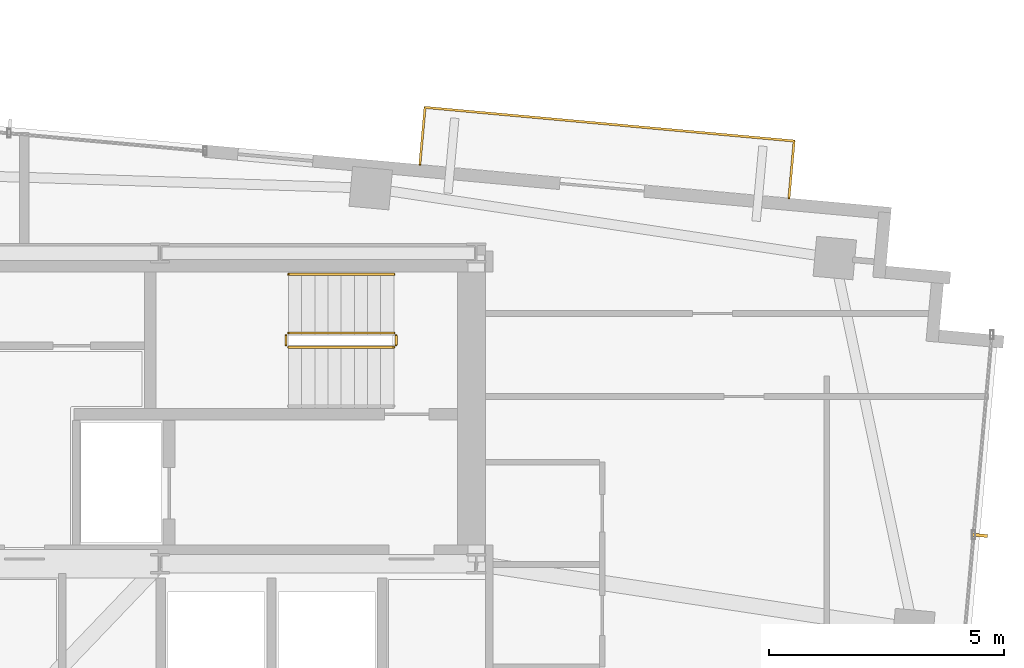
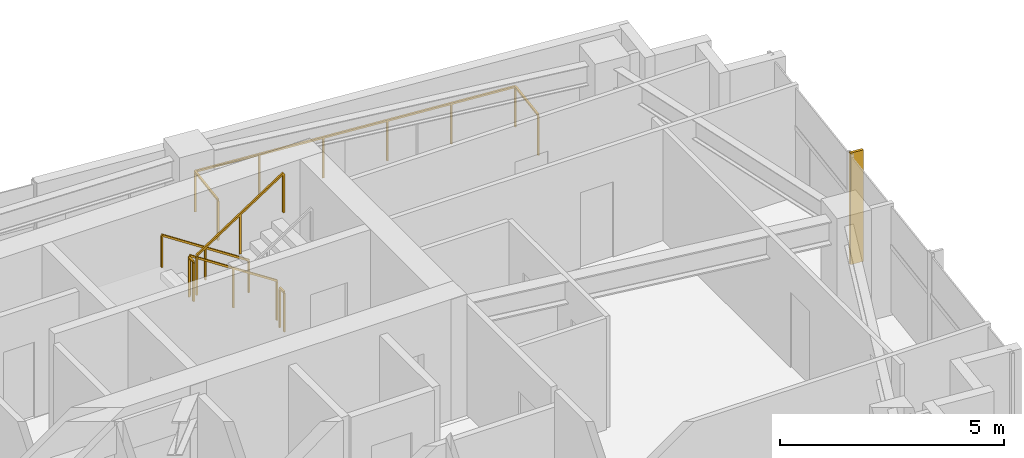
# One storey, part 22 of 22: 6 railings, 1 shading device.
"""IFC4 building model written with IfcOpenShell, lengths in metres."""

import ifcopenshell
import ifcopenshell.guid

model = None  # the IFC model being written
_history = None  # IfcOwnerHistory: only IFC2X3 demands one
_inside = {}  # id of a spatial element -> (the spatial element, [elements in it])
_under = {}  # id of a project, library or spatial element -> (it, [spatial elements below it])
_declared = {}  # id of a project -> (the project, [libraries it declares])
_typed = {}  # id of a type object -> (the type object, [elements of that type])
_made_of = {}  # id of a material, layer set ... -> (it, [elements and type objects made of it])


def new_model(schema):
    """Start an empty IFC model of exactly this schema.

    Asked for "IFC4X3", IfcOpenShell would pick the latest addendum, in which some entities
    have other attributes; the version numbers below select the first issue.
    IFC2X3 requires an IfcOwnerHistory on every rooted entity: one is made here for all.
    """
    global model, _history
    if schema == "IFC4X3":
        model = ifcopenshell.file(schema_version=(4, 3, 0, 0))
    else:
        model = ifcopenshell.file(schema=schema)
    _inside.clear()
    _under.clear()
    _declared.clear()
    _typed.clear()
    _made_of.clear()
    _history = None
    if model.schema == "IFC2X3":
        org = make("IfcOrganization", Name="unknown")
        user = make(
            "IfcPersonAndOrganization",
            ThePerson=make("IfcPerson", FamilyName="unknown"),
            TheOrganization=org,
        )
        app = make(
            "IfcApplication",
            ApplicationDeveloper=org,
            Version="unknown",
            ApplicationFullName="unknown",
            ApplicationIdentifier="unknown",
        )
        _history = make(
            "IfcOwnerHistory",
            OwningUser=user,
            OwningApplication=app,
            ChangeAction="ADDED",
            CreationDate=0,
        )
    return model


def make(cls, **values):
    """One entity of the class cls with the attributes given. An attribute that is None is left unset."""
    return model.create_entity(
        cls, **{name: value for name, value in values.items() if value is not None}
    )


def rooted(cls, **values):
    """An entity with a GlobalId (a new one), such as an element, a storey or a relation."""
    return make(cls, GlobalId=ifcopenshell.guid.new(), OwnerHistory=_history, **values)


def si_unit(unit_type, name, prefix=None):
    """IfcSIUnit, for example si_unit("LENGTHUNIT", "METRE", prefix="MILLI")."""
    return make("IfcSIUnit", UnitType=unit_type, Prefix=prefix, Name=name)


def assignment(units):
    """IfcUnitAssignment: the units of a project."""
    return None if units is None else make("IfcUnitAssignment", Units=units)


def point(xyz):
    """IfcCartesianPoint."""
    return None if xyz is None else make("IfcCartesianPoint", Coordinates=xyz)


def direction(xyz):
    """IfcDirection."""
    return None if xyz is None else make("IfcDirection", DirectionRatios=xyz)


def frame(location, z_axis=None, x_axis=None):
    """IfcAxis2Placement3D, a coordinate frame: its origin and axes. An axis left out is left unset."""
    return make(
        "IfcAxis2Placement3D",
        Location=point(location),
        Axis=direction(z_axis),
        RefDirection=direction(x_axis),
    )


def frame_2d(location, x_axis=None):
    """IfcAxis2Placement2D, a coordinate frame in the plane: its origin and x axis."""
    return make(
        "IfcAxis2Placement2D", Location=point(location), RefDirection=direction(x_axis)
    )


def origin():
    """The frame at (0, 0, 0) with its axes left unset."""
    return frame((0.0, 0.0, 0.0))


def origin_2d():
    """The frame at (0, 0) in the plane with its x axis left unset."""
    return frame_2d((0.0, 0.0))


def place(relative_to, where):
    """IfcLocalPlacement: puts the frame where relative to a parent placement (None: the world)."""
    return make(
        "IfcLocalPlacement", PlacementRelTo=relative_to, RelativePlacement=where
    )


def context(
    kind, dimensions, precision=None, world=None, true_north=None, identifier=None
):
    """IfcGeometricRepresentationContext, for example the 3D "Model" context."""
    return make(
        "IfcGeometricRepresentationContext",
        ContextIdentifier=identifier,
        ContextType=kind,
        CoordinateSpaceDimension=dimensions,
        Precision=precision,
        WorldCoordinateSystem=world,
        TrueNorth=true_north,
    )


def subcontext(parent, identifier, kind, view, scale=None):
    """IfcGeometricRepresentationSubContext, for example "Body" below "Model"."""
    return make(
        "IfcGeometricRepresentationSubContext",
        ContextIdentifier=identifier,
        ContextType=kind,
        ParentContext=parent,
        TargetScale=scale,
        TargetView=view,
    )


def project(units=None, contexts=None):
    """IfcProject with its units and contexts."""
    return rooted(
        "IfcProject",
        Name="project",
        RepresentationContexts=contexts,
        UnitsInContext=assignment(units),
    )


def spatial(cls, under=None, at=None, **own):
    """A site, building, storey or space (cls), placed at a placement, below another one or the project."""
    s = rooted(cls, ObjectPlacement=at, **own)
    if under is not None:
        _under.setdefault(under.id(), (under, []))[1].append(s)
    return s


def profile(cls, at=None, kind="AREA", **sizes):
    """A parametric profile (cls). Its sizes go by their IFC names, for example OverallWidth=200.0."""
    return make(cls, ProfileType=kind, Position=at, **sizes)


def rectangle(**sizes):
    """IfcRectangleProfileDef."""
    return profile("IfcRectangleProfileDef", **sizes)


def extrude(swept, where, along, depth):
    """IfcExtrudedAreaSolid: the profile swept, set in the frame where, extruded along a direction by depth."""
    return make(
        "IfcExtrudedAreaSolid",
        SweptArea=swept,
        Position=where,
        ExtrudedDirection=direction(along),
        Depth=depth,
    )


def shape(context_of_items, identifier, shape_type, items):
    """IfcShapeRepresentation: the items that make up one representation, for example the "Body"."""
    return make(
        "IfcShapeRepresentation",
        ContextOfItems=context_of_items,
        RepresentationIdentifier=identifier,
        RepresentationType=shape_type,
        Items=items,
    )


def source(mapping_origin, context_of_items, identifier, shape_type, items):
    """IfcRepresentationMap: a shape defined once, which mapped items show again and again."""
    return make(
        "IfcRepresentationMap",
        MappingOrigin=mapping_origin,
        MappedRepresentation=shape(context_of_items, identifier, shape_type, items),
    )


def transform(
    local_origin,
    x_axis=None,
    y_axis=None,
    z_axis=None,
    scale=None,
    scale2=None,
    scale3=None,
    uniform=True,
):
    """IfcCartesianTransformationOperator3D, or its non-uniform kind. x_axis, y_axis, z_axis: its Axis1, 2, 3."""
    if uniform:
        return make(
            "IfcCartesianTransformationOperator3D",
            Axis1=direction(x_axis),
            Axis2=direction(y_axis),
            LocalOrigin=point(local_origin),
            Scale=scale,
            Axis3=direction(z_axis),
        )
    return make(
        "IfcCartesianTransformationOperator3DnonUniform",
        Axis1=direction(x_axis),
        Axis2=direction(y_axis),
        LocalOrigin=point(local_origin),
        Scale=scale,
        Axis3=direction(z_axis),
        Scale2=scale2,
        Scale3=scale3,
    )


def mapped(mapping_source, mapping_target):
    """IfcMappedItem: shows the shape of a source again, moved by a transform."""
    return make(
        "IfcMappedItem", MappingSource=mapping_source, MappingTarget=mapping_target
    )


def material(Name=None, Category=None):
    """IfcMaterial."""
    return make("IfcMaterial", Name=Name, Category=Category)


def made_of(thing, what):
    """Note that an element or type object is made of a material, layer set ...; save() writes the relation."""
    if what is not None:
        _made_of.setdefault(what.id(), (what, []))[1].append(thing)
    return thing


def type_object(cls, material=None, **own):
    """A type object (cls), such as IfcWallType, which elements share."""
    return made_of(rooted(cls, **own), material)


def type_shapes(of_type, sources):
    """Give a type object the sources (RepresentationMaps) that its elements show as mapped items."""
    of_type.RepresentationMaps = sources


def element(
    cls,
    number,
    at=None,
    inside=None,
    cuts=None,
    type_object=None,
    material=None,
    context=None,
    identifier="Body",
    shape_type=None,
    held_by="IfcProductDefinitionShape",
    body=None,
    shapes=None,
    **own,
):
    """One element of the class cls, such as IfcWall. Its Tag is "e" and its number.

    at: its placement. inside: the storey or other place that contains it. cuts: it is an
    opening in that element (IfcRelVoidsElement). A single representation is given by context,
    identifier, shape_type and body (its items); several are given by shapes. held_by: the class
    of the entity that holds the representations. save() writes the other relations.
    """
    e = rooted(cls, Tag="e%d" % number, ObjectPlacement=at, **own)
    if body is not None:
        shapes = [shape(context, identifier, shape_type, body)]
    if shapes is not None:
        e.Representation = make(held_by, Representations=shapes)
    if inside is not None:
        _inside.setdefault(inside.id(), (inside, []))[1].append(e)
    if cuts is not None:
        rooted(
            "IfcRelVoidsElement", RelatingBuildingElement=cuts, RelatedOpeningElement=e
        )
    if type_object is not None:
        _typed.setdefault(type_object.id(), (type_object, []))[1].append(e)
    return made_of(e, material)


def aggregate(whole, parts):
    """IfcRelAggregates: a whole, such as a stair, and the parts it consists of."""
    return rooted("IfcRelAggregates", RelatingObject=whole, RelatedObjects=parts)


def save(model, path):
    """Write the relations noted so far, then the file.

    IfcRelAggregates (storeys below a building ...), IfcRelContainedInSpatialStructure (elements
    in a storey), IfcRelDefinesByType, IfcRelAssociatesMaterial and IfcRelDeclares: one each for
    every whole, place, type object, material and project.
    """
    for whole, parts in _under.values():
        aggregate(whole, parts)
    for where, things in _inside.values():
        rooted(
            "IfcRelContainedInSpatialStructure",
            RelatedElements=things,
            RelatingStructure=where,
        )
    for kind, things in _typed.values():
        rooted("IfcRelDefinesByType", RelatedObjects=things, RelatingType=kind)
    for what, things in _made_of.values():
        rooted("IfcRelAssociatesMaterial", RelatedObjects=things, RelatingMaterial=what)
    for by, libraries in _declared.values():
        rooted("IfcRelDeclares", RelatingContext=by, RelatedDefinitions=libraries)
    model.write(path)


model = new_model("IFC4")

# Units and contexts
model_context = context("Model", 3, precision=1e-05, world=origin(), true_north=direction((0.0, 1.0)))
body_context = subcontext(model_context, "Body", "Model", "MODEL_VIEW")
ifc_project = project(units=[si_unit("LENGTHUNIT", "METRE"), si_unit("AREAUNIT", "SQUARE_METRE"), si_unit("VOLUMEUNIT", "CUBIC_METRE"), si_unit("PLANEANGLEUNIT", "RADIAN"), si_unit("MASSUNIT", "GRAM", prefix="KILO")], contexts=[model_context])

# Site, building, storey
site_placement = place(None, origin())
site = spatial("IfcSite", under=ifc_project, at=site_placement, CompositionType="ELEMENT")
building_placement = place(site_placement, origin())
building = spatial("IfcBuilding", under=site, at=building_placement, Name="Astriad Promenade Condominiums", CompositionType="ELEMENT")
storey_placement = place(building_placement, frame((0.0, 0.0, 223.199951171875)))
storey = spatial("IfcBuildingStorey", under=building, at=storey_placement, Name="L64", CompositionType="ELEMENT", Elevation=223.199951171875)

# Shading device
ifc_material_1 = material(Name="Anodised aluminium 6063-T6 Black Fin", Category="aluminium")
shading_device_type = type_object("IfcShadingDeviceType", Name="FIN-BLACK-260", PredefinedType="USERDEFINED", material=ifc_material_1)
shared_shape_1 = source(origin(), body_context, "Body", "SweptSolid", [
    extrude(rectangle(XDim=0.06494140625, YDim=0.320068359375, at=origin_2d()), origin(), (0.0, 0.0, 1.0), 3.0400390625),
])
type_shapes(shading_device_type, [shared_shape_1])
shading_device_placement = place(storey_placement, frame((56.306884765625, 18.0029296875, 0.0), z_axis=(0.0, 0.0, 1.0), x_axis=(-0.090632580198, -0.995884398616, 0.0)))
element("IfcShadingDevice", 1, at=shading_device_placement, inside=storey, type_object=shading_device_type, Name="CW-L64-E-FIN-01", ObjectType="FIN", PredefinedType="USERDEFINED", context=body_context, shape_type="MappedRepresentation", body=[
    mapped(shared_shape_1, transform((0.0, 0.0, 0.0), scale=1.0)),
])

# Railings
ifc_material_2 = material(Name="Laminated Glass and Stainless Steel Balustrade", Category="steel")
railing_type_1 = type_object("IfcRailingType", Name="GRD-BALC-1120", PredefinedType="BALUSTRADE", material=ifc_material_2)
shared_shape_2 = source(origin(), body_context, "Body", "SweptSolid", [
    extrude(rectangle(XDim=0.048095703125, YDim=0.048095703125, at=origin_2d()), frame((0.0, 0.0, 1.09619140625), z_axis=(0.09066206129, 0.995881715186, 0.0), x_axis=(-0.995881715186, 0.09066206129, 0.0)), (0.0, 0.0, 1.0), 1.219970703125),
    extrude(rectangle(XDim=0.048095703125, YDim=0.048095703125, at=origin_2d()), frame((0.110595703125, 1.21484375, 1.09619140625), z_axis=(-0.99588278111, 0.090650351834, 0.0), x_axis=(-0.090650351834, -0.99588278111, 0.0)), (0.0, 0.0, 1.0), 7.875),
    extrude(rectangle(XDim=0.048095703125, YDim=0.048095703125, at=origin_2d()), frame((-7.73193359375, 1.9287109375, 1.09619140625), z_axis=(-0.090643994769, -0.995883359743, 0.0), x_axis=(0.995883359743, -0.090643994769, 0.0)), (0.0, 0.0, 1.0), 1.22021484375),
    extrude(rectangle(XDim=0.0419921875, YDim=0.0419921875, at=origin_2d()), origin(), (0.0, 0.0, 1.0), 1.072021484375),
    extrude(rectangle(XDim=0.0419921875, YDim=0.0419921875, at=origin_2d()), frame((0.110595703125, 1.21484375, 0.0)), (0.0, 0.0, 1.0), 1.072021484375),
    extrude(rectangle(XDim=0.0419921875, YDim=0.0419921875, at=origin_2d()), frame((-1.4580078125, 1.357666015625, 0.0)), (0.0, 0.0, 1.0), 1.072021484375),
    extrude(rectangle(XDim=0.0419921875, YDim=0.0419921875, at=origin_2d()), frame((-3.0263671875, 1.50048828125, 0.0)), (0.0, 0.0, 1.0), 1.072021484375),
    extrude(rectangle(XDim=0.0419921875, YDim=0.0419921875, at=origin_2d()), frame((-4.594970703125, 1.64306640625, 0.0)), (0.0, 0.0, 1.0), 1.072021484375),
    extrude(rectangle(XDim=0.0419921875, YDim=0.0419921875, at=origin_2d()), frame((-6.163330078125, 1.785888671875, 0.0)), (0.0, 0.0, 1.0), 1.072021484375),
    extrude(rectangle(XDim=0.0419921875, YDim=0.0419921875, at=origin_2d()), frame((-7.73193359375, 1.9287109375, 0.0)), (0.0, 0.0, 1.0), 1.072021484375),
    extrude(rectangle(XDim=0.0419921875, YDim=0.0419921875, at=origin_2d()), frame((-7.842529296875, 0.713623046875, 0.0)), (0.0, 0.0, 1.0), 1.072021484375),
])
type_shapes(railing_type_1, [shared_shape_2])
railing_1_placement = place(storey_placement, frame((52.24462890625, 25.167236328125, 0.0)))
element("IfcRailing", 2, at=railing_1_placement, inside=storey, type_object=railing_type_1, Name="GRD-BALC-L64-NE", PredefinedType="BALUSTRADE", context=body_context, shape_type="MappedRepresentation", body=[
    mapped(shared_shape_2, transform((0.0, 0.0, 0.0), scale=1.0)),
])
ifc_material_3 = material(Name="Painted Galvanised Steel Guardrail", Category="steel")
railing_type_2 = type_object("IfcRailingType", Name="GRD-STAIR-1100", PredefinedType="GUARDRAIL", material=ifc_material_3)
shared_shape_3 = source(origin(), body_context, "Body", "SweptSolid", [
    extrude(rectangle(XDim=0.048095703125, YDim=0.048095703125, at=origin_2d()), frame((0.0, 0.0, 1.076171875), z_axis=(0.836636935527, 0.0, 0.547757827979), x_axis=(0.0, 1.0, 0.0)), (0.0, 0.0, 1.0), 2.677490234375),
    extrude(rectangle(XDim=0.0419921875, YDim=0.0419921875, at=origin_2d()), origin(), (0.0, 0.0, 1.0), 1.052001953125),
    extrude(rectangle(XDim=0.0419921875, YDim=0.0419921875, at=origin_2d()), frame((1.1201171875, 0.0, 0.7333984375)), (0.0, 0.0, 1.0), 1.052001953125),
    extrude(rectangle(XDim=0.0419921875, YDim=0.0419921875, at=origin_2d()), frame((2.239990234375, 0.0, 1.466552734375)), (0.0, 0.0, 1.0), 1.052001953125),
])
railing_2_placement = place(storey_placement, frame((41.610107421875, 22.0, 1.83349609375)))
element("IfcRailing", 3, at=railing_2_placement, inside=storey, type_object=railing_type_2, Name="L64 ST-2 stair guard 3", PredefinedType="GUARDRAIL", context=body_context, shape_type="MappedRepresentation", body=[
    mapped(shared_shape_3, transform((0.0, 0.0, 0.0), scale=1.0)),
])
shared_shape_4 = source(origin(), body_context, "Body", "SweptSolid", [
    extrude(rectangle(XDim=0.048095703125, YDim=0.048095703125, at=origin_2d()), frame((0.0, 0.0, 1.076171875), z_axis=(-0.836595146698, 0.0, 0.547821650285), x_axis=(0.0, -1.0, 0.0)), (0.0, 0.0, 1.0), 2.677490234375),
    extrude(rectangle(XDim=0.0419921875, YDim=0.0419921875, at=origin_2d()), origin(), (0.0, 0.0, 1.0), 1.052001953125),
    extrude(rectangle(XDim=0.0419921875, YDim=0.0419921875, at=origin_2d()), frame((-1.1201171875, 0.0, 0.7333984375)), (0.0, 0.0, 1.0), 1.052001953125),
    extrude(rectangle(XDim=0.0419921875, YDim=0.0419921875, at=origin_2d()), frame((-2.239990234375, 0.0, 1.466796875)), (0.0, 0.0, 1.0), 1.052001953125),
])
railing_3_placement = place(storey_placement, frame((43.85009765625, 22.300048828125, 0.183349609375)))
element("IfcRailing", 4, at=railing_3_placement, inside=storey, type_object=railing_type_2, Name="L64 ST-2 stair guard 1", PredefinedType="GUARDRAIL", context=body_context, shape_type="MappedRepresentation", body=[
    mapped(shared_shape_4, transform((0.0, 0.0, 0.0), scale=1.0)),
])
ifc_material_4 = material(Name="Brushed Stainless Steel Handrail", Category="steel")
railing_type_3 = type_object("IfcRailingType", Name="HRL-STAIR-920", PredefinedType="HANDRAIL", material=ifc_material_4)
shared_shape_5 = source(origin(), body_context, "Body", "SweptSolid", [
    extrude(rectangle(XDim=0.048095703125, YDim=0.048095703125, at=origin_2d()), frame((0.0, 0.0, 0.8759765625), z_axis=(-0.836595146698, 0.0, 0.547821650285), x_axis=(0.0, -1.0, 0.0)), (0.0, 0.0, 1.0), 2.677490234375),
    extrude(rectangle(XDim=0.0419921875, YDim=0.0419921875, at=origin_2d()), origin(), (0.0, 0.0, 1.0), 0.851806640625),
    extrude(rectangle(XDim=0.0419921875, YDim=0.0419921875, at=origin_2d()), frame((-1.1201171875, 0.0, 0.7333984375)), (0.0, 0.0, 1.0), 0.851806640625),
    extrude(rectangle(XDim=0.0419921875, YDim=0.0419921875, at=origin_2d()), frame((-2.239990234375, 0.0, 1.466796875)), (0.0, 0.0, 1.0), 0.851806640625),
])
type_shapes(railing_type_3, [shared_shape_5])
railing_4_placement = place(storey_placement, frame((43.85009765625, 23.550048828125, 0.183349609375)))
element("IfcRailing", 5, at=railing_4_placement, inside=storey, type_object=railing_type_3, Name="L64 ST-2 stair handrail 1", PredefinedType="HANDRAIL", context=body_context, shape_type="MappedRepresentation", body=[
    mapped(shared_shape_5, transform((0.0, 0.0, 0.0), scale=1.0)),
])
shared_shape_6 = source(origin(), body_context, "Body", "SweptSolid", [
    extrude(rectangle(XDim=0.048095703125, YDim=0.048095703125, at=origin_2d()), frame((0.0, 0.0, 1.076171875), z_axis=(0.0, -1.0, 0.0), x_axis=(1.0, 0.0, 0.0)), (0.0, 0.0, 1.0), 0.199951171875),
    extrude(rectangle(XDim=0.0419921875, YDim=0.0419921875, at=origin_2d()), origin(), (0.0, 0.0, 1.0), 1.052001953125),
    extrude(rectangle(XDim=0.0419921875, YDim=0.0419921875, at=origin_2d()), frame((0.0, -0.199951171875, 0.0)), (0.0, 0.0, 1.0), 1.052001953125),
])
type_shapes(railing_type_2, [shared_shape_3, shared_shape_4, shared_shape_6])
for number, where, name in (
    (6, (41.56005859375, 22.25, 1.650146484375), "L64 ST-2 stair guard 2"),
    (7, (43.89990234375, 22.25, 0.0), "L64 ST-2 stair guard 4"),
):
    element("IfcRailing", number, at=place(storey_placement, frame(where)), inside=storey, type_object=railing_type_2, Name=name, PredefinedType="GUARDRAIL", context=body_context, shape_type="MappedRepresentation", body=[
        mapped(shared_shape_6, transform((0.0, 0.0, 0.0), scale=1.0)),
    ])

save(model, "model.ifc")
